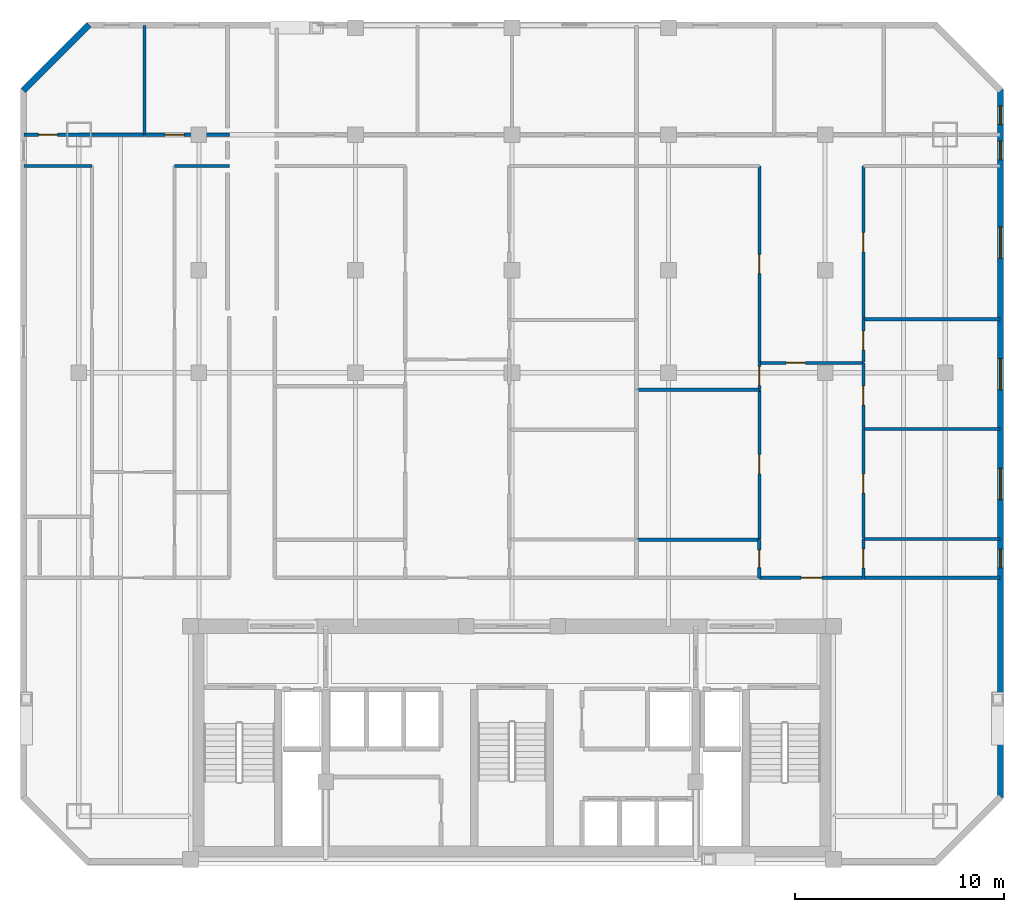
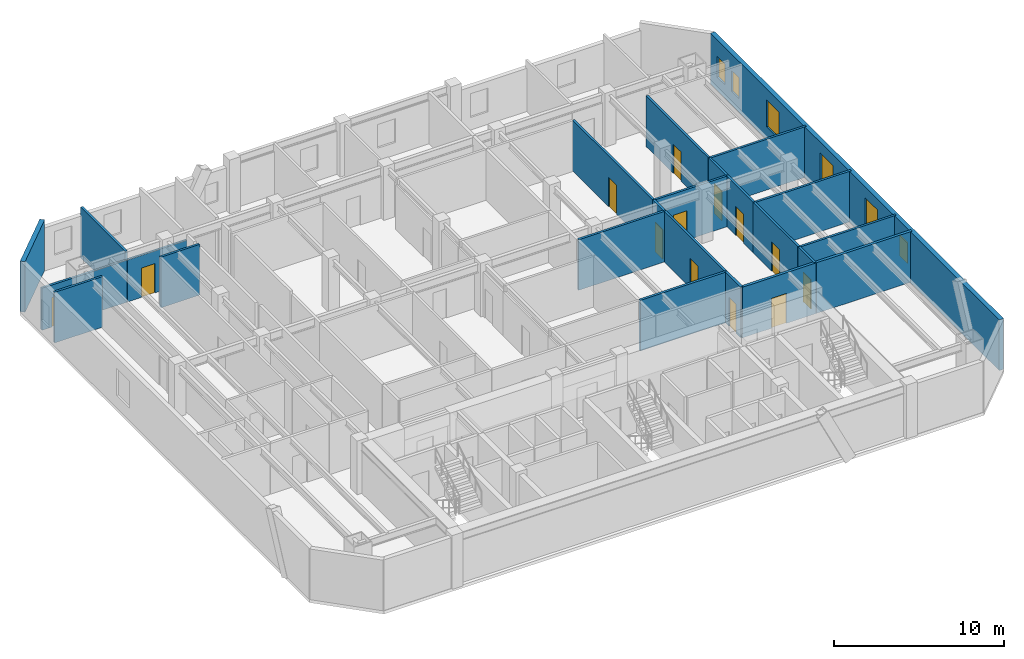
# One storey, part 5 of 8: 24 walls, 13 doors, 6 windows, 19 openings.
"""IFC4 building model written with IfcOpenShell, lengths in metres."""

from ifc_helpers import new_model, si_unit, direction, frame, frame_2d, origin, place, context, subcontext, project, spatial, rectangle, extrude, material, layer, layer_set, type_object, element, fill, save


model = new_model("IFC4")

# Units and contexts
model_context = context("Model", 3, precision=1e-05, world=origin(), true_north=direction((0.0, 1.0)))
body_context = subcontext(model_context, "Body", "Model", "MODEL_VIEW")
ifc_project = project(units=[si_unit("LENGTHUNIT", "METRE"), si_unit("AREAUNIT", "SQUARE_METRE"), si_unit("VOLUMEUNIT", "CUBIC_METRE"), si_unit("PLANEANGLEUNIT", "RADIAN"), si_unit("MASSUNIT", "GRAM", prefix="KILO")], contexts=[model_context])

# Site, building, storey
site_placement = place(None, origin())
site = spatial("IfcSite", under=ifc_project, at=site_placement, CompositionType="ELEMENT")
building_placement = place(site_placement, origin())
building = spatial("IfcBuilding", under=site, at=building_placement, Name="Ventersveld Concourse Tower", CompositionType="ELEMENT")
storey_placement = place(building_placement, frame((0.0, 0.0, 164.449951171875)))
storey = spatial("IfcBuildingStorey", under=building, at=storey_placement, Name="L40", CompositionType="ELEMENT", Elevation=164.449951171875)

# Wall, opening, door
ifc_material_1 = material(Name="Fire-rated autoclaved aerated masonry blockwork", Category="masonry")
ifc_layer_1 = layer(ifc_material_1, 0.179931640625)
ifc_layer_set_1 = layer_set([ifc_layer_1], Name="Fire-rated autoclaved aerated masonry blockwork")
wall_type_1 = type_object("IfcWallType", Name="WL-CORR-180", PredefinedType="PARTITIONING", material=ifc_layer_set_1)
wall_1_placement = place(storey_placement, frame((40.60009765625, 13.77001953125, 0.0), z_axis=(0.0, 0.0, 1.0), x_axis=(1.0, 0.0, 0.0)))
wall_1 = element("IfcWall", 1, at=wall_1_placement, inside=storey, type_object=wall_type_1, Name="L40 Interior Partition SP-L40-COR-SP-L40-40N2-FOY", PredefinedType="PARTITIONING", context=body_context, shape_type="SweptSolid", body=[
    extrude(rectangle(XDim=4.989990234375, YDim=0.179931640625, at=frame_2d((2.4951171875, 0.0))), origin(), (0.0, 0.0, 1.0), 3.630126953125),
])
opening_1_placement = place(wall_1_placement, frame((1.9951171875, 0.0, 0.0)))
opening_1 = element("IfcOpeningElement", 2, at=opening_1_placement, cuts=wall_1, Name="Opening FD3", PredefinedType="OPENING", context=body_context, shape_type="SweptSolid", body=[
    extrude(rectangle(XDim=1.0, YDim=2.14990234375, at=frame_2d((0.5, 1.074951171875))), frame((0.0, 0.10009765625, 0.0), z_axis=(0.0, -1.0, 0.0), x_axis=(1.0, 0.0, 0.0)), (0.0, 0.0, 1.0), 0.199951171875),
])
ifc_material_2 = material(Name="Solid-core hardwood veneer timber", Category="wood")
door_type_1 = type_object("IfcDoorType", Name="DR-FLAT-100", OperationType="NOTDEFINED", PredefinedType="DOOR", material=ifc_material_2)
door_1_placement = place(opening_1_placement, origin())
door_1 = element("IfcDoor", 3, at=door_1_placement, inside=storey, type_object=door_type_1, Name="L40 Interior Door SP-L40-COR to SP-L40-40N2-FOY (FD-L40-1956)", OperationType="SINGLE_SWING_RIGHT", OverallHeight=2.14990234375, OverallWidth=1.0, PredefinedType="DOOR", context=body_context, shape_type="SweptSolid", body=[
    extrude(rectangle(XDim=1.0, YDim=2.14990234375, at=frame_2d((0.5, 1.074951171875))), frame((0.0, 0.02490234375, 0.0), z_axis=(0.0, -1.0, 0.0), x_axis=(1.0, 0.0, 0.0)), (0.0, 0.0, 1.0), 0.050048828125),
])
fill(opening_1, door_1)

# Walls
wall_2_placement = place(storey_placement, frame((45.6201171875, 13.77001953125, 0.0), z_axis=(0.0, 0.0, 1.0), x_axis=(1.0, 0.0, 0.0)))
element("IfcWall", 4, at=wall_2_placement, inside=storey, type_object=wall_type_1, Name="L40 Interior Partition SP-L40-COR-SP-L40-40N2-KIT", PredefinedType="PARTITIONING", context=body_context, shape_type="SweptSolid", body=[
    extrude(rectangle(XDim=6.50732421875, YDim=0.179931640625, at=frame_2d((3.253662109375, 0.0))), origin(), (0.0, 0.0, 1.0), 3.630126953125),
])
ifc_material_3 = material(Name="Autoclaved aerated masonry blockwork", Category="masonry")
ifc_layer_2 = layer(ifc_material_3, 0.14990234375)
ifc_layer_set_2 = layer_set([ifc_layer_2], Name="Autoclaved aerated masonry blockwork")
wall_type_2 = type_object("IfcWallType", Name="WL-INT-150", PredefinedType="PARTITIONING", material=ifc_layer_set_2)
wall_3_placement = place(storey_placement, frame((5.37255859375, 33.5, 0.0), z_axis=(0.0, 0.0, 1.0), x_axis=(1.0, 0.0, 0.0)))
element("IfcWall", 5, at=wall_3_placement, inside=storey, type_object=wall_type_2, Name="L40 Interior Partition SP-L40-40NW-LIV-SP-L40-40NW-OFFL0", PredefinedType="PARTITIONING", context=body_context, shape_type="SweptSolid", body=[
    extrude(rectangle(XDim=3.253662109375, YDim=0.14990234375, at=frame_2d((1.626953125, 0.0))), origin(), (0.0, 0.0, 1.0), 3.630126953125),
])
wall_4_placement = place(storey_placement, frame((12.576416015625, 33.5, 0.0), z_axis=(0.0, 0.0, 1.0), x_axis=(1.0, 0.0, 0.0)))
element("IfcWall", 6, at=wall_4_placement, inside=storey, type_object=wall_type_2, Name="L40 Interior Partition SP-L40-40NW-LIV-SP-L40-40NW-DENR", PredefinedType="PARTITIONING", context=body_context, shape_type="SweptSolid", body=[
    extrude(rectangle(XDim=2.638671875, YDim=0.14990234375, at=frame_2d((1.3193359375, 0.0))), origin(), (0.0, 0.0, 1.0), 3.630126953125),
])

# Wall, opening, door
wall_5_placement = place(storey_placement, frame((5.37255859375, 35.0, 0.0), z_axis=(0.0, 0.0, 1.0), x_axis=(1.0, 0.0, 0.0)))
wall_5 = element("IfcWall", 7, at=wall_5_placement, inside=storey, type_object=wall_type_2, Name="L40 Interior Partition SP-L40-40NW-LIV-SP-L40-40NW-BR1", PredefinedType="PARTITIONING", context=body_context, shape_type="SweptSolid", body=[
    extrude(rectangle(XDim=5.771240234375, YDim=0.14990234375, at=frame_2d((2.8857421875, 0.0))), origin(), (0.0, 0.0, 1.0), 3.012939453125),
])
opening_2_placement = place(wall_5_placement, frame((0.6943359375, 0.0, 0.0)))
opening_2 = element("IfcOpeningElement", 8, at=opening_2_placement, cuts=wall_5, Name="Opening ID1", PredefinedType="OPENING", context=body_context, shape_type="SweptSolid", body=[
    extrude(rectangle(XDim=0.919921875, YDim=2.10009765625, at=frame_2d((0.4599609375, 1.050048828125))), frame((0.0, 0.0849609375, 0.0), z_axis=(0.0, -1.0, 0.0), x_axis=(1.0, 0.0, 0.0)), (0.0, 0.0, 1.0), 0.169921875),
])
door_type_2 = type_object("IfcDoorType", Name="DR-ROOM-092", OperationType="NOTDEFINED", PredefinedType="DOOR", material=ifc_material_2)
door_2_placement = place(opening_2_placement, origin())
door_2 = element("IfcDoor", 9, at=door_2_placement, inside=storey, type_object=door_type_2, Name="L40 Interior Door SP-L40-40NW-LIV to SP-L40-40NW-BR1 (D-L40-1963)", OperationType="SINGLE_SWING_LEFT", OverallHeight=2.10009765625, OverallWidth=0.919921875, PredefinedType="DOOR", context=body_context, shape_type="SweptSolid", body=[
    extrude(rectangle(XDim=0.919921875, YDim=2.10009765625, at=frame_2d((0.4599609375, 1.050048828125))), frame((0.0, 0.02490234375, 0.0), z_axis=(0.0, -1.0, 0.0), x_axis=(1.0, 0.0, 0.0)), (0.0, 0.0, 1.0), 0.050048828125),
])
fill(opening_2, door_2)

wall_6_placement = place(storey_placement, frame((11.173828125, 35.0, 0.0), z_axis=(0.0, 0.0, 1.0), x_axis=(1.0, 0.0, 0.0)))
wall_6 = element("IfcWall", 10, at=wall_6_placement, inside=storey, type_object=wall_type_2, Name="L40 Interior Partition SP-L40-40NW-LIV-SP-L40-40NW-BR2", PredefinedType="PARTITIONING", context=body_context, shape_type="SweptSolid", body=[
    extrude(rectangle(XDim=4.041259765625, YDim=0.14990234375, at=frame_2d((2.0205078125, 0.0))), origin(), (0.0, 0.0, 1.0), 3.012939453125),
])
opening_3_placement = place(wall_6_placement, frame((0.954345703125, 0.0, 0.0)))
opening_3 = element("IfcOpeningElement", 11, at=opening_3_placement, cuts=wall_6, Name="Opening ID1", PredefinedType="OPENING", context=body_context, shape_type="SweptSolid", body=[
    extrude(rectangle(XDim=0.919921875, YDim=2.10009765625, at=frame_2d((0.4599609375, 1.050048828125))), frame((0.0, 0.0849609375, 0.0), z_axis=(0.0, -1.0, 0.0), x_axis=(1.0, 0.0, 0.0)), (0.0, 0.0, 1.0), 0.169921875),
])
door_3_placement = place(opening_3_placement, origin())
door_3 = element("IfcDoor", 12, at=door_3_placement, inside=storey, type_object=door_type_2, Name="L40 Interior Door SP-L40-40NW-LIV to SP-L40-40NW-BR2 (D-L40-1964)", OperationType="SINGLE_SWING_RIGHT", OverallHeight=2.10009765625, OverallWidth=0.919921875, PredefinedType="DOOR", context=body_context, shape_type="SweptSolid", body=[
    extrude(rectangle(XDim=0.919921875, YDim=2.10009765625, at=frame_2d((0.4599609375, 1.050048828125))), frame((0.0, 0.02490234375, 0.0), z_axis=(0.0, -1.0, 0.0), x_axis=(1.0, 0.0, 0.0)), (0.0, 0.0, 1.0), 0.050048828125),
])
fill(opening_3, door_3)

# Wall
wall_7_placement = place(storey_placement, frame((11.138916015625, 34.9951171875, 0.0), z_axis=(0.0, 0.0, 1.0), x_axis=(0.0, 1.0, 0.0)))
element("IfcWall", 13, at=wall_7_placement, inside=storey, type_object=wall_type_2, Name="L40 Interior Partition SP-L40-40NW-BR1-SP-L40-40NW-BR2", PredefinedType="PARTITIONING", context=body_context, shape_type="SweptSolid", body=[
    extrude(rectangle(XDim=5.232421875, YDim=0.14990234375, at=frame_2d((2.6162109375, 0.0))), origin(), (0.0, 0.0, 1.0), 3.630126953125),
])

# Wall, opening, door
wall_8_placement = place(storey_placement, frame((40.60009765625, 24.070068359375, 0.0), z_axis=(0.0, 0.0, 1.0), x_axis=(1.0, 0.0, 0.0)))
wall_8 = element("IfcWall", 14, at=wall_8_placement, inside=storey, type_object=wall_type_2, Name="L40 Interior Partition SP-L40-40N2-FOY-SP-L40-40N2-LIV", PredefinedType="PARTITIONING", context=body_context, shape_type="SweptSolid", body=[
    extrude(rectangle(XDim=4.989990234375, YDim=0.14990234375, at=frame_2d((2.4951171875, 0.0))), origin(), (0.0, 0.0, 1.0), 3.630126953125),
])
opening_4_placement = place(wall_8_placement, frame((1.28662109375, 0.0, 0.0)))
opening_4 = element("IfcOpeningElement", 15, at=opening_4_placement, cuts=wall_8, Name="Opening ID1", PredefinedType="OPENING", context=body_context, shape_type="SweptSolid", body=[
    extrude(rectangle(XDim=0.919921875, YDim=2.10009765625, at=frame_2d((0.4599609375, 1.050048828125))), frame((0.0, 0.0849609375, 0.0), z_axis=(0.0, -1.0, 0.0), x_axis=(1.0, 0.0, 0.0)), (0.0, 0.0, 1.0), 0.169921875),
])
door_4_placement = place(opening_4_placement, origin())
door_4 = element("IfcDoor", 16, at=door_4_placement, inside=storey, type_object=door_type_2, Name="L40 Interior Door SP-L40-40N2-FOY to SP-L40-40N2-LIV (D-L40-1978)", OperationType="SINGLE_SWING_RIGHT", OverallHeight=2.10009765625, OverallWidth=0.919921875, PredefinedType="DOOR", context=body_context, shape_type="SweptSolid", body=[
    extrude(rectangle(XDim=0.919921875, YDim=2.10009765625, at=frame_2d((0.4599609375, 1.050048828125))), frame((0.0, 0.02490234375, 0.0), z_axis=(0.0, -1.0, 0.0), x_axis=(1.0, 0.0, 0.0)), (0.0, 0.0, 1.0), 0.050048828125),
])
fill(opening_4, door_4)

wall_9_placement = place(storey_placement, frame((40.60498046875, 15.635009765625, 0.0), z_axis=(0.0, 0.0, 1.0), x_axis=(0.0, 1.0, 0.0)))
wall_9 = element("IfcWall", 17, at=wall_9_placement, inside=storey, type_object=wall_type_2, Name="L40 Interior Partition SP-L40-40N2-FOY-SP-L40-40N2-DENL", PredefinedType="PARTITIONING", context=body_context, shape_type="SweptSolid", body=[
    extrude(rectangle(XDim=7.15185546875, YDim=0.14990234375, at=frame_2d((3.575927734375, 0.0))), origin(), (0.0, 0.0, 1.0), 3.630126953125),
])
opening_5_placement = place(wall_9_placement, frame((3.115966796875, 0.0, 0.0)))
opening_5 = element("IfcOpeningElement", 18, at=opening_5_placement, cuts=wall_9, Name="Opening ID1", PredefinedType="OPENING", context=body_context, shape_type="SweptSolid", body=[
    extrude(rectangle(XDim=0.919921875, YDim=2.10009765625, at=frame_2d((0.4599609375, 1.050048828125))), frame((0.0, 0.0849609375, 0.0), z_axis=(0.0, -1.0, 0.0), x_axis=(1.0, 0.0, 0.0)), (0.0, 0.0, 1.0), 0.169921875),
])
door_5_placement = place(opening_5_placement, origin())
door_5 = element("IfcDoor", 19, at=door_5_placement, inside=storey, type_object=door_type_2, Name="L40 Interior Door SP-L40-40N2-FOY to SP-L40-40N2-DENL (D-L40-1980)", OperationType="SINGLE_SWING_RIGHT", OverallHeight=2.10009765625, OverallWidth=0.919921875, PredefinedType="DOOR", context=body_context, shape_type="SweptSolid", body=[
    extrude(rectangle(XDim=0.919921875, YDim=2.10009765625, at=frame_2d((0.4599609375, 1.050048828125))), frame((0.0, 0.02490234375, 0.0), z_axis=(0.0, -1.0, 0.0), x_axis=(1.0, 0.0, 0.0)), (0.0, 0.0, 1.0), 0.050048828125),
])
fill(opening_5, door_5)

wall_10_placement = place(storey_placement, frame((40.60498046875, 22.81689453125, 0.0), z_axis=(0.0, 0.0, 1.0), x_axis=(0.0, 1.0, 0.0)))
wall_10 = element("IfcWall", 20, at=wall_10_placement, inside=storey, type_object=wall_type_2, Name="L40 Interior Partition SP-L40-40N2-FOY-SP-L40-40N2-DENL2", PredefinedType="PARTITIONING", context=body_context, shape_type="SweptSolid", body=[
    extrude(rectangle(XDim=1.25830078125, YDim=0.14990234375, at=frame_2d((0.629150390625, 0.0))), origin(), (0.0, 0.0, 1.0), 3.630126953125),
])
opening_6_placement = place(wall_10_placement, frame((0.169189453125, 0.0, 0.0)))
opening_6 = element("IfcOpeningElement", 21, at=opening_6_placement, cuts=wall_10, Name="Opening ID1", PredefinedType="OPENING", context=body_context, shape_type="SweptSolid", body=[
    extrude(rectangle(XDim=0.919921875, YDim=2.10009765625, at=frame_2d((0.4599609375, 1.050048828125))), frame((0.0, 0.0849609375, 0.0), z_axis=(0.0, -1.0, 0.0), x_axis=(1.0, 0.0, 0.0)), (0.0, 0.0, 1.0), 0.169921875),
])
door_6_placement = place(opening_6_placement, origin())
door_6 = element("IfcDoor", 22, at=door_6_placement, inside=storey, type_object=door_type_2, Name="L40 Interior Door SP-L40-40N2-FOY to SP-L40-40N2-DENL2 (D-L40-1981)", OperationType="SINGLE_SWING_LEFT", OverallHeight=2.10009765625, OverallWidth=0.919921875, PredefinedType="DOOR", context=body_context, shape_type="SweptSolid", body=[
    extrude(rectangle(XDim=0.919921875, YDim=2.10009765625, at=frame_2d((0.4599609375, 1.050048828125))), frame((0.0, 0.02490234375, 0.0), z_axis=(0.0, -1.0, 0.0), x_axis=(1.0, 0.0, 0.0)), (0.0, 0.0, 1.0), 0.050048828125),
])
fill(opening_6, door_6)

wall_11_placement = place(storey_placement, frame((45.5849609375, 13.764892578125, 0.0), z_axis=(0.0, 0.0, 1.0), x_axis=(0.0, 1.0, 0.0)))
wall_11 = element("IfcWall", 23, at=wall_11_placement, inside=storey, type_object=wall_type_2, Name="L40 Interior Partition SP-L40-40N2-FOY-SP-L40-40N2-KIT", PredefinedType="PARTITIONING", context=body_context, shape_type="SweptSolid", body=[
    extrude(rectangle(XDim=1.872802734375, YDim=0.14990234375, at=frame_2d((0.9365234375, 0.0))), origin(), (0.0, 0.0, 1.0), 3.630126953125),
])
opening_7_placement = place(wall_11_placement, frame((0.476318359375, 0.0, 0.0)))
opening_7 = element("IfcOpeningElement", 24, at=opening_7_placement, cuts=wall_11, Name="Opening ID1", PredefinedType="OPENING", context=body_context, shape_type="SweptSolid", body=[
    extrude(rectangle(XDim=0.919921875, YDim=2.10009765625, at=frame_2d((0.4599609375, 1.050048828125))), frame((0.0, 0.0849609375, 0.0), z_axis=(0.0, -1.0, 0.0), x_axis=(1.0, 0.0, 0.0)), (0.0, 0.0, 1.0), 0.169921875),
])
door_7_placement = place(opening_7_placement, origin())
door_7 = element("IfcDoor", 25, at=door_7_placement, inside=storey, type_object=door_type_2, Name="L40 Interior Door SP-L40-40N2-FOY to SP-L40-40N2-KIT (D-L40-1982)", OperationType="SINGLE_SWING_RIGHT", OverallHeight=2.10009765625, OverallWidth=0.919921875, PredefinedType="DOOR", context=body_context, shape_type="SweptSolid", body=[
    extrude(rectangle(XDim=0.919921875, YDim=2.10009765625, at=frame_2d((0.4599609375, 1.050048828125))), frame((0.0, 0.02490234375, 0.0), z_axis=(0.0, -1.0, 0.0), x_axis=(1.0, 0.0, 0.0)), (0.0, 0.0, 1.0), 0.050048828125),
])
fill(opening_7, door_7)

wall_12_placement = place(storey_placement, frame((45.5849609375, 15.667724609375, 0.0), z_axis=(0.0, 0.0, 1.0), x_axis=(0.0, 1.0, 0.0)))
wall_12 = element("IfcWall", 26, at=wall_12_placement, inside=storey, type_object=wall_type_2, Name="L40 Interior Partition SP-L40-40N2-FOY-SP-L40-40N2-DENR", PredefinedType="PARTITIONING", context=body_context, shape_type="SweptSolid", body=[
    extrude(rectangle(XDim=5.233642578125, YDim=0.14990234375, at=frame_2d((2.61669921875, 0.0))), origin(), (0.0, 0.0, 1.0), 3.630126953125),
])
opening_8_placement = place(wall_12_placement, frame((2.15673828125, 0.0, 0.0)))
opening_8 = element("IfcOpeningElement", 27, at=opening_8_placement, cuts=wall_12, Name="Opening ID1", PredefinedType="OPENING", context=body_context, shape_type="SweptSolid", body=[
    extrude(rectangle(XDim=0.919921875, YDim=2.10009765625, at=frame_2d((0.4599609375, 1.050048828125))), frame((0.0, 0.0849609375, 0.0), z_axis=(0.0, -1.0, 0.0), x_axis=(1.0, 0.0, 0.0)), (0.0, 0.0, 1.0), 0.169921875),
])
door_8_placement = place(opening_8_placement, origin())
door_8 = element("IfcDoor", 28, at=door_8_placement, inside=storey, type_object=door_type_2, Name="L40 Interior Door SP-L40-40N2-FOY to SP-L40-40N2-DENR (D-L40-1983)", OperationType="SINGLE_SWING_LEFT", OverallHeight=2.10009765625, OverallWidth=0.919921875, PredefinedType="DOOR", context=body_context, shape_type="SweptSolid", body=[
    extrude(rectangle(XDim=0.919921875, YDim=2.10009765625, at=frame_2d((0.4599609375, 1.050048828125))), frame((0.0, 0.02490234375, 0.0), z_axis=(0.0, -1.0, 0.0), x_axis=(1.0, 0.0, 0.0)), (0.0, 0.0, 1.0), 0.050048828125),
])
fill(opening_8, door_8)

wall_13_placement = place(storey_placement, frame((45.5849609375, 20.931396484375, 0.0), z_axis=(0.0, 0.0, 1.0), x_axis=(0.0, 1.0, 0.0)))
wall_13 = element("IfcWall", 29, at=wall_13_placement, inside=storey, type_object=wall_type_2, Name="L40 Interior Partition SP-L40-40N2-FOY-SP-L40-40N2-DENS", PredefinedType="PARTITIONING", context=body_context, shape_type="SweptSolid", body=[
    extrude(rectangle(XDim=3.143798828125, YDim=0.14990234375, at=frame_2d((1.57177734375, 0.0))), origin(), (0.0, 0.0, 1.0), 3.630126953125),
])
opening_9_placement = place(wall_13_placement, frame((1.11181640625, 0.0, 0.0)))
opening_9 = element("IfcOpeningElement", 30, at=opening_9_placement, cuts=wall_13, Name="Opening ID1", PredefinedType="OPENING", context=body_context, shape_type="SweptSolid", body=[
    extrude(rectangle(XDim=0.919921875, YDim=2.10009765625, at=frame_2d((0.4599609375, 1.050048828125))), frame((0.0, 0.0849609375, 0.0), z_axis=(0.0, -1.0, 0.0), x_axis=(1.0, 0.0, 0.0)), (0.0, 0.0, 1.0), 0.169921875),
])
door_9_placement = place(opening_9_placement, origin())
door_9 = element("IfcDoor", 31, at=door_9_placement, inside=storey, type_object=door_type_2, Name="L40 Interior Door SP-L40-40N2-FOY to SP-L40-40N2-DENS (D-L40-1984)", OperationType="SINGLE_SWING_RIGHT", OverallHeight=2.10009765625, OverallWidth=0.919921875, PredefinedType="DOOR", context=body_context, shape_type="SweptSolid", body=[
    extrude(rectangle(XDim=0.919921875, YDim=2.10009765625, at=frame_2d((0.4599609375, 1.050048828125))), frame((0.0, 0.02490234375, 0.0), z_axis=(0.0, -1.0, 0.0), x_axis=(1.0, 0.0, 0.0)), (0.0, 0.0, 1.0), 0.050048828125),
])
fill(opening_9, door_9)

wall_14_placement = place(storey_placement, frame((40.60498046875, 24.10498046875, 0.0), z_axis=(0.0, 0.0, 1.0), x_axis=(0.0, 1.0, 0.0)))
wall_14 = element("IfcWall", 32, at=wall_14_placement, inside=storey, type_object=wall_type_2, Name="L40 Interior Partition SP-L40-40N2-LIV-SP-L40-40N2-DENL2", PredefinedType="PARTITIONING", context=body_context, shape_type="SweptSolid", body=[
    extrude(rectangle(XDim=9.39990234375, YDim=0.14990234375, at=frame_2d((4.699951171875, 0.0))), origin(), (0.0, 0.0, 1.0), 3.630126953125),
])
opening_10_placement = place(wall_14_placement, frame((4.239990234375, 0.0, 0.0)))
opening_10 = element("IfcOpeningElement", 33, at=opening_10_placement, cuts=wall_14, Name="Opening ID1", PredefinedType="OPENING", context=body_context, shape_type="SweptSolid", body=[
    extrude(rectangle(XDim=0.919921875, YDim=2.10009765625, at=frame_2d((0.4599609375, 1.050048828125))), frame((0.0, 0.0849609375, 0.0), z_axis=(0.0, -1.0, 0.0), x_axis=(1.0, 0.0, 0.0)), (0.0, 0.0, 1.0), 0.169921875),
])
door_10_placement = place(opening_10_placement, origin())
door_10 = element("IfcDoor", 34, at=door_10_placement, inside=storey, type_object=door_type_2, Name="L40 Interior Door SP-L40-40N2-LIV to SP-L40-40N2-DENL2 (D-L40-1985)", OperationType="SINGLE_SWING_LEFT", OverallHeight=2.10009765625, OverallWidth=0.919921875, PredefinedType="DOOR", context=body_context, shape_type="SweptSolid", body=[
    extrude(rectangle(XDim=0.919921875, YDim=2.10009765625, at=frame_2d((0.4599609375, 1.050048828125))), frame((0.0, 0.02490234375, 0.0), z_axis=(0.0, -1.0, 0.0), x_axis=(1.0, 0.0, 0.0)), (0.0, 0.0, 1.0), 0.050048828125),
])
fill(opening_10, door_10)

wall_15_placement = place(storey_placement, frame((45.5849609375, 24.10498046875, 0.0), z_axis=(0.0, 0.0, 1.0), x_axis=(0.0, 1.0, 0.0)))
wall_15 = element("IfcWall", 35, at=wall_15_placement, inside=storey, type_object=wall_type_2, Name="L40 Interior Partition SP-L40-40N2-LIV-SP-L40-40N2-DENS", PredefinedType="PARTITIONING", context=body_context, shape_type="SweptSolid", body=[
    extrude(rectangle(XDim=2.06005859375, YDim=0.14990234375, at=frame_2d((1.030029296875, 0.0))), origin(), (0.0, 0.0, 1.0), 3.630126953125),
])
opening_11_placement = place(wall_15_placement, frame((0.570068359375, 0.0, 0.0)))
opening_11 = element("IfcOpeningElement", 36, at=opening_11_placement, cuts=wall_15, Name="Opening ID1", PredefinedType="OPENING", context=body_context, shape_type="SweptSolid", body=[
    extrude(rectangle(XDim=0.919921875, YDim=2.10009765625, at=frame_2d((0.4599609375, 1.050048828125))), frame((0.0, 0.0849609375, 0.0), z_axis=(0.0, -1.0, 0.0), x_axis=(1.0, 0.0, 0.0)), (0.0, 0.0, 1.0), 0.169921875),
])
door_11_placement = place(opening_11_placement, origin())
door_11 = element("IfcDoor", 37, at=door_11_placement, inside=storey, type_object=door_type_2, Name="L40 Interior Door SP-L40-40N2-LIV to SP-L40-40N2-DENS (D-L40-1986)", OperationType="SINGLE_SWING_RIGHT", OverallHeight=2.10009765625, OverallWidth=0.919921875, PredefinedType="DOOR", context=body_context, shape_type="SweptSolid", body=[
    extrude(rectangle(XDim=0.919921875, YDim=2.10009765625, at=frame_2d((0.4599609375, 1.050048828125))), frame((0.0, 0.02490234375, 0.0), z_axis=(0.0, -1.0, 0.0), x_axis=(1.0, 0.0, 0.0)), (0.0, 0.0, 1.0), 0.050048828125),
])
fill(opening_11, door_11)

wall_16_placement = place(storey_placement, frame((45.5849609375, 26.195068359375, 0.0), z_axis=(0.0, 0.0, 1.0), x_axis=(0.0, 1.0, 0.0)))
wall_16 = element("IfcWall", 38, at=wall_16_placement, inside=storey, type_object=wall_type_2, Name="L40 Interior Partition SP-L40-40N2-LIV-SP-L40-40N2-DENS2", PredefinedType="PARTITIONING", context=body_context, shape_type="SweptSolid", body=[
    extrude(rectangle(XDim=7.309814453125, YDim=0.14990234375, at=frame_2d((3.65478515625, 0.0))), origin(), (0.0, 0.0, 1.0), 3.630126953125),
])
opening_12_placement = place(wall_16_placement, frame((3.195068359375, 0.0, 0.0)))
opening_12 = element("IfcOpeningElement", 39, at=opening_12_placement, cuts=wall_16, Name="Opening ID1", PredefinedType="OPENING", context=body_context, shape_type="SweptSolid", body=[
    extrude(rectangle(XDim=0.919921875, YDim=2.10009765625, at=frame_2d((0.4599609375, 1.050048828125))), frame((0.0, 0.0849609375, 0.0), z_axis=(0.0, -1.0, 0.0), x_axis=(1.0, 0.0, 0.0)), (0.0, 0.0, 1.0), 0.169921875),
])
door_12_placement = place(opening_12_placement, origin())
door_12 = element("IfcDoor", 40, at=door_12_placement, inside=storey, type_object=door_type_2, Name="L40 Interior Door SP-L40-40N2-LIV to SP-L40-40N2-DENS2 (D-L40-1987)", OperationType="SINGLE_SWING_LEFT", OverallHeight=2.10009765625, OverallWidth=0.919921875, PredefinedType="DOOR", context=body_context, shape_type="SweptSolid", body=[
    extrude(rectangle(XDim=0.919921875, YDim=2.10009765625, at=frame_2d((0.4599609375, 1.050048828125))), frame((0.0, 0.02490234375, 0.0), z_axis=(0.0, -1.0, 0.0), x_axis=(1.0, 0.0, 0.0)), (0.0, 0.0, 1.0), 0.050048828125),
])
fill(opening_12, door_12)

# Walls
wall_17_placement = place(storey_placement, frame((34.715087890625, 22.78173828125, 0.0), z_axis=(0.0, 0.0, 1.0), x_axis=(1.0, 0.0, 0.0)))
element("IfcWall", 41, at=wall_17_placement, inside=storey, type_object=wall_type_2, Name="L40 Interior Partition SP-L40-40N2-DENL-SP-L40-40N2-DENL2", PredefinedType="PARTITIONING", context=body_context, shape_type="SweptSolid", body=[
    extrude(rectangle(XDim=5.89501953125, YDim=0.14990234375, at=frame_2d((2.947509765625, 0.0))), origin(), (0.0, 0.0, 1.0), 3.630126953125),
])
for number, where, z_axis, x_axis, name in (
    (42, (45.580078125, 15.6328125, 0.0), (0.0, 0.0, 1.0), (1.0, 0.0, 0.0), "L40 Interior Partition SP-L40-40N2-KIT-SP-L40-40N2-DENR"),
    (43, (45.580078125, 20.896484375, 0.0), (0.0, 0.0, 1.0), (1.0, 0.0, 0.0), "L40 Interior Partition SP-L40-40N2-DENR-SP-L40-40N2-DENS"),
    (44, (45.580078125, 26.16015625, 0.0), (0.0, 0.0, 1.0), (1.0, 0.0, 0.0), "L40 Interior Partition SP-L40-40N2-DENS-SP-L40-40N2-DENS2"),
):
    element("IfcWall", number, at=place(storey_placement, frame(where, z_axis=z_axis, x_axis=x_axis)), inside=storey, type_object=wall_type_2, Name=name, PredefinedType="PARTITIONING", context=body_context, shape_type="SweptSolid", body=[
        extrude(rectangle(XDim=6.54736328125, YDim=0.14990234375, at=frame_2d((3.273681640625, 0.0))), origin(), (0.0, 0.0, 1.0), 3.630126953125),
    ])

# Wall, openings, windows
ifc_material_4 = material(Name="Precast concrete C45/55", Category="concrete")
ifc_layer_3 = layer(ifc_material_4, 0.300048828125)
ifc_layer_set_3 = layer_set([ifc_layer_3], Name="Precast concrete C45/55")
wall_type_3 = type_object("IfcWallType", Name="WL-PREC-300", PredefinedType="SOLIDWALL", material=ifc_layer_set_3)
wall_18_placement = place(storey_placement, frame((52.14990234375, 3.239990234375, 0.0), z_axis=(0.0, 0.0, 1.0), x_axis=(0.0, 1.0, 0.0)))
wall_18 = element("IfcWall", 45, at=wall_18_placement, inside=storey, type_object=wall_type_3, Name="L40 Highveld Precast Facade Wall E03", PredefinedType="SOLIDWALL", context=body_context, shape_type="SweptSolid", body=[
    extrude(rectangle(XDim=33.919921875, YDim=0.300048828125, at=frame_2d((16.9599609375, 0.0))), origin(), (0.0, 0.0, 1.0), 3.630126953125),
])
opening_13_placement = place(wall_18_placement, frame((30.56005859375, 0.0, 0.949951171875)))
opening_13 = element("IfcOpeningElement", 46, at=opening_13_placement, cuts=wall_18, Name="Opening W4", PredefinedType="OPENING", context=body_context, shape_type="SweptSolid", body=[
    extrude(rectangle(XDim=0.89990234375, YDim=1.5, at=frame_2d((0.449951171875, 0.75))), frame((0.0, 0.16015625, 0.0), z_axis=(0.0, -1.0, 0.0), x_axis=(1.0, 0.0, 0.0)), (0.0, 0.0, 1.0), 0.320068359375),
])
opening_14_placement = place(wall_18_placement, frame((11.011474609375, 0.0, 0.949951171875)))
opening_14 = element("IfcOpeningElement", 47, at=opening_14_placement, cuts=wall_18, Name="Opening W4", PredefinedType="OPENING", context=body_context, shape_type="SweptSolid", body=[
    extrude(rectangle(XDim=0.89990234375, YDim=1.5, at=frame_2d((0.449951171875, 0.75))), frame((0.0, 0.16015625, 0.0), z_axis=(0.0, -1.0, 0.0), x_axis=(1.0, 0.0, 0.0)), (0.0, 0.0, 1.0), 0.320068359375),
])
opening_15_placement = place(wall_18_placement, frame((14.2744140625, 0.0, 0.89990234375)))
opening_15 = element("IfcOpeningElement", 48, at=opening_15_placement, cuts=wall_18, Name="Opening W1", PredefinedType="OPENING", context=body_context, shape_type="SweptSolid", body=[
    extrude(rectangle(XDim=1.5, YDim=1.949951171875, at=frame_2d((0.75, 0.97509765625))), frame((0.0, 0.16015625, 0.0), z_axis=(0.0, -1.0, 0.0), x_axis=(1.0, 0.0, 0.0)), (0.0, 0.0, 1.0), 0.320068359375),
])
opening_16_placement = place(wall_18_placement, frame((19.5380859375, 0.0, 0.89990234375)))
opening_16 = element("IfcOpeningElement", 49, at=opening_16_placement, cuts=wall_18, Name="Opening W1", PredefinedType="OPENING", context=body_context, shape_type="SweptSolid", body=[
    extrude(rectangle(XDim=1.5, YDim=1.949951171875, at=frame_2d((0.75, 0.97509765625))), frame((0.0, 0.16015625, 0.0), z_axis=(0.0, -1.0, 0.0), x_axis=(1.0, 0.0, 0.0)), (0.0, 0.0, 1.0), 0.320068359375),
])
opening_17_placement = place(wall_18_placement, frame((25.840087890625, 0.0, 0.89990234375)))
opening_17 = element("IfcOpeningElement", 50, at=opening_17_placement, cuts=wall_18, Name="Opening W1", PredefinedType="OPENING", context=body_context, shape_type="SweptSolid", body=[
    extrude(rectangle(XDim=1.5, YDim=1.949951171875, at=frame_2d((0.75, 0.97509765625))), frame((0.0, 0.16015625, 0.0), z_axis=(0.0, -1.0, 0.0), x_axis=(1.0, 0.0, 0.0)), (0.0, 0.0, 1.0), 0.320068359375),
])
opening_18_placement = place(wall_18_placement, frame((32.239990234375, 0.0, 0.949951171875)))
opening_18 = element("IfcOpeningElement", 51, at=opening_18_placement, cuts=wall_18, Name="Opening W4", PredefinedType="OPENING", context=body_context, shape_type="SweptSolid", body=[
    extrude(rectangle(XDim=0.89990234375, YDim=1.5, at=frame_2d((0.449951171875, 0.75))), frame((0.0, 0.16015625, 0.0), z_axis=(0.0, -1.0, 0.0), x_axis=(1.0, 0.0, 0.0)), (0.0, 0.0, 1.0), 0.320068359375),
])
ifc_material_5 = material(Name="Tempered acoustic Low-E IGU", Category="glass")
window_type_1 = type_object("IfcWindowType", Name="WIN-090x150", PartitioningType="SINGLE_PANEL", PredefinedType="WINDOW", material=ifc_material_5)
window_1_placement = place(opening_13_placement, origin())
window_1 = element("IfcWindow", 52, at=window_1_placement, inside=storey, type_object=window_type_1, Name="L40 Punched Low-E Window W-0539", OverallHeight=1.5, OverallWidth=0.89990234375, PartitioningType="SINGLE_PANEL", PredefinedType="WINDOW", context=body_context, shape_type="SweptSolid", body=[
    extrude(rectangle(XDim=0.89990234375, YDim=1.5, at=frame_2d((0.449951171875, 0.75))), frame((0.0, 0.030029296875, 0.0), z_axis=(0.0, -1.0, 0.0), x_axis=(1.0, 0.0, 0.0)), (0.0, 0.0, 1.0), 0.06005859375),
])
fill(opening_13, window_1)
window_2_placement = place(opening_14_placement, origin())
window_2 = element("IfcWindow", 53, at=window_2_placement, inside=storey, type_object=window_type_1, Name="L40 Punched Low-E Window W-0540", OverallHeight=1.5, OverallWidth=0.89990234375, PartitioningType="SINGLE_PANEL", PredefinedType="WINDOW", context=body_context, shape_type="SweptSolid", body=[
    extrude(rectangle(XDim=0.89990234375, YDim=1.5, at=frame_2d((0.449951171875, 0.75))), frame((0.0, 0.030029296875, 0.0), z_axis=(0.0, -1.0, 0.0), x_axis=(1.0, 0.0, 0.0)), (0.0, 0.0, 1.0), 0.06005859375),
])
fill(opening_14, window_2)
window_3_placement = place(opening_18_placement, origin())
window_3 = element("IfcWindow", 54, at=window_3_placement, inside=storey, type_object=window_type_1, Name="L40 Punched Low-E Window W-0546", OverallHeight=1.5, OverallWidth=0.89990234375, PartitioningType="SINGLE_PANEL", PredefinedType="WINDOW", context=body_context, shape_type="SweptSolid", body=[
    extrude(rectangle(XDim=0.89990234375, YDim=1.5, at=frame_2d((0.449951171875, 0.75))), frame((0.0, 0.030029296875, 0.0), z_axis=(0.0, -1.0, 0.0), x_axis=(1.0, 0.0, 0.0)), (0.0, 0.0, 1.0), 0.06005859375),
])
fill(opening_18, window_3)
window_type_2 = type_object("IfcWindowType", Name="WIN-150x210", PartitioningType="SINGLE_PANEL", PredefinedType="WINDOW", material=ifc_material_5)
window_4_placement = place(opening_15_placement, origin())
window_4 = element("IfcWindow", 55, at=window_4_placement, inside=storey, type_object=window_type_2, Name="L40 Punched Low-E Window W-0541", OverallHeight=1.949951171875, OverallWidth=1.5, PartitioningType="SINGLE_PANEL", PredefinedType="WINDOW", context=body_context, shape_type="SweptSolid", body=[
    extrude(rectangle(XDim=1.5, YDim=1.949951171875, at=frame_2d((0.75, 0.97509765625))), frame((0.0, 0.030029296875, 0.0), z_axis=(0.0, -1.0, 0.0), x_axis=(1.0, 0.0, 0.0)), (0.0, 0.0, 1.0), 0.06005859375),
])
fill(opening_15, window_4)
window_5_placement = place(opening_16_placement, origin())
window_5 = element("IfcWindow", 56, at=window_5_placement, inside=storey, type_object=window_type_2, Name="L40 Punched Low-E Window W-0542", OverallHeight=1.949951171875, OverallWidth=1.5, PartitioningType="SINGLE_PANEL", PredefinedType="WINDOW", context=body_context, shape_type="SweptSolid", body=[
    extrude(rectangle(XDim=1.5, YDim=1.949951171875, at=frame_2d((0.75, 0.97509765625))), frame((0.0, 0.030029296875, 0.0), z_axis=(0.0, -1.0, 0.0), x_axis=(1.0, 0.0, 0.0)), (0.0, 0.0, 1.0), 0.06005859375),
])
fill(opening_16, window_5)
window_6_placement = place(opening_17_placement, origin())
window_6 = element("IfcWindow", 57, at=window_6_placement, inside=storey, type_object=window_type_2, Name="L40 Punched Low-E Window W-0543", OverallHeight=1.949951171875, OverallWidth=1.5, PartitioningType="SINGLE_PANEL", PredefinedType="WINDOW", context=body_context, shape_type="SweptSolid", body=[
    extrude(rectangle(XDim=1.5, YDim=1.949951171875, at=frame_2d((0.75, 0.97509765625))), frame((0.0, 0.030029296875, 0.0), z_axis=(0.0, -1.0, 0.0), x_axis=(1.0, 0.0, 0.0)), (0.0, 0.0, 1.0), 0.06005859375),
])
fill(opening_17, window_6)

# Wall
wall_19_placement = place(storey_placement, frame((8.477783203125, 40.265625, 0.0), z_axis=(0.0, 0.0, 1.0), x_axis=(-0.707106781187, -0.707106781187, 0.0)))
element("IfcWall", 58, at=wall_19_placement, inside=storey, type_object=wall_type_3, Name="L40 Highveld Precast Facade Wall E06", PredefinedType="SOLIDWALL", context=body_context, shape_type="SweptSolid", body=[
    extrude(rectangle(XDim=4.4453125, YDim=0.300048828125, at=frame_2d((2.22265625, 0.0))), origin(), (0.0, 0.0, 1.0), 3.630126953125),
])

# Wall, opening, door
ifc_layer_4 = layer(ifc_material_3, 0.1650390625)
ifc_layer_set_4 = layer_set([ifc_layer_4], Name="Autoclaved aerated masonry blockwork")
wall_type_4 = type_object("IfcWallType", Name="WL-WET-165", PredefinedType="PLUMBINGWALL", material=ifc_layer_set_4)
wall_20_placement = place(storey_placement, frame((40.60498046875, 13.764892578125, 0.0), z_axis=(0.0, 0.0, 1.0), x_axis=(0.0, 1.0, 0.0)))
wall_20 = element("IfcWall", 59, at=wall_20_placement, inside=storey, type_object=wall_type_4, Name="L40 Interior Partition SP-L40-40N2-FOY-SP-L40-40N2-BATH", PredefinedType="PLUMBINGWALL", context=body_context, shape_type="SweptSolid", body=[
    extrude(rectangle(XDim=1.840087890625, YDim=0.1650390625, at=frame_2d((0.919921875, 0.0))), origin(), (0.0, 0.0, 1.0), 3.630126953125),
])
opening_19_placement = place(wall_20_placement, frame((0.4951171875, 0.0, 0.0)))
opening_19 = element("IfcOpeningElement", 60, at=opening_19_placement, cuts=wall_20, Name="Opening ID2", PredefinedType="OPENING", context=body_context, shape_type="SweptSolid", body=[
    extrude(rectangle(XDim=0.85009765625, YDim=2.10009765625, at=frame_2d((0.425048828125, 1.050048828125))), frame((0.0, 0.092529296875, 0.0), z_axis=(0.0, -1.0, 0.0), x_axis=(1.0, 0.0, 0.0)), (0.0, 0.0, 1.0), 0.18505859375),
])
door_type_3 = type_object("IfcDoorType", Name="DR-BATH-085", OperationType="NOTDEFINED", PredefinedType="DOOR", material=ifc_material_2)
door_13_placement = place(opening_19_placement, origin())
door_13 = element("IfcDoor", 61, at=door_13_placement, inside=storey, type_object=door_type_3, Name="L40 Interior Door SP-L40-40N2-FOY to SP-L40-40N2-BATH (D-L40-1979)", OperationType="SINGLE_SWING_LEFT", OverallHeight=2.10009765625, OverallWidth=0.85009765625, PredefinedType="DOOR", context=body_context, shape_type="SweptSolid", body=[
    extrude(rectangle(XDim=0.85009765625, YDim=2.10009765625, at=frame_2d((0.425048828125, 1.050048828125))), frame((0.0, 0.02490234375, 0.0), z_axis=(0.0, -1.0, 0.0), x_axis=(1.0, 0.0, 0.0)), (0.0, 0.0, 1.0), 0.050048828125),
])
fill(opening_19, door_13)

# Wall
wall_21_placement = place(storey_placement, frame((34.7548828125, 15.60009765625, 0.0), z_axis=(0.0, 0.0, 1.0), x_axis=(1.0, 0.0, 0.0)))
element("IfcWall", 62, at=wall_21_placement, inside=storey, type_object=wall_type_4, Name="L40 Interior Partition SP-L40-40N2-BATH-SP-L40-40N2-DENL", PredefinedType="PLUMBINGWALL", context=body_context, shape_type="SweptSolid", body=[
    extrude(rectangle(XDim=5.855224609375, YDim=0.1650390625, at=frame_2d((2.927734375, 0.0))), origin(), (0.0, 0.0, 1.0), 3.630126953125),
])

save(model, "model.ifc")
